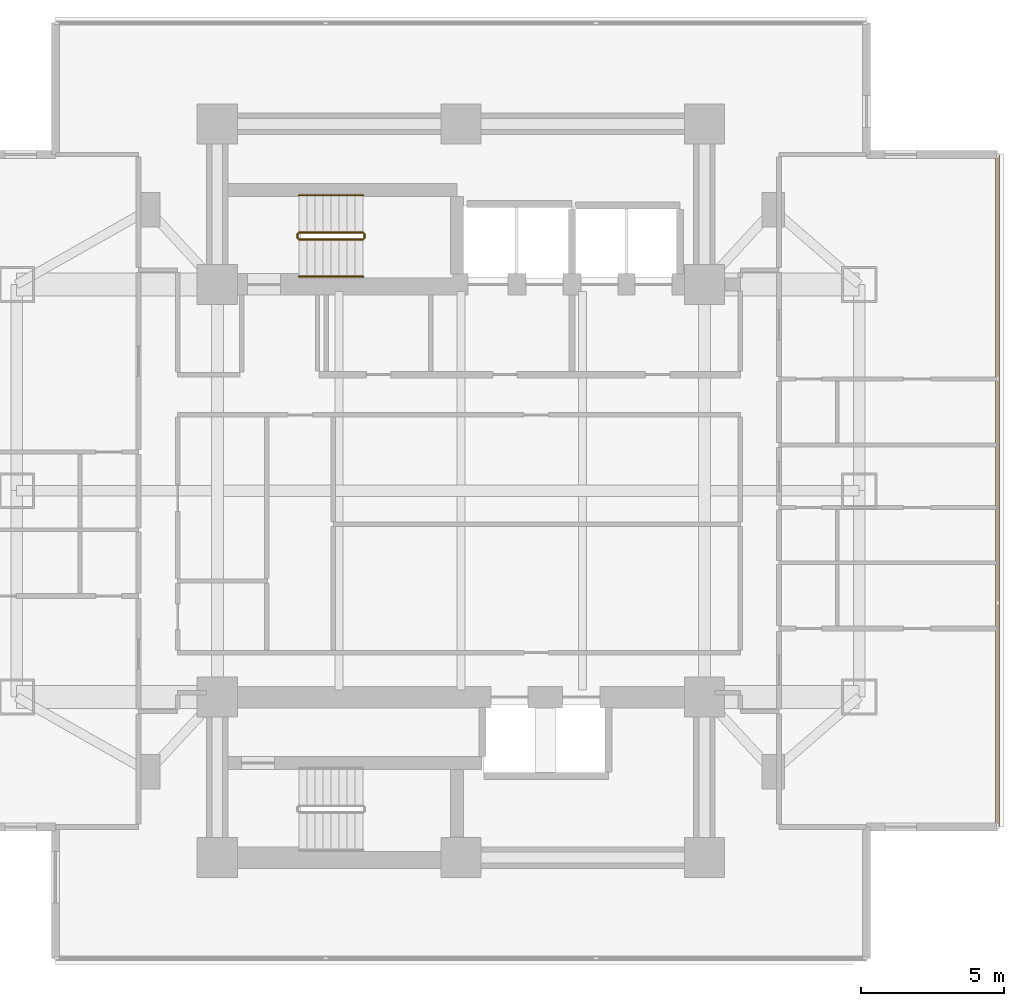
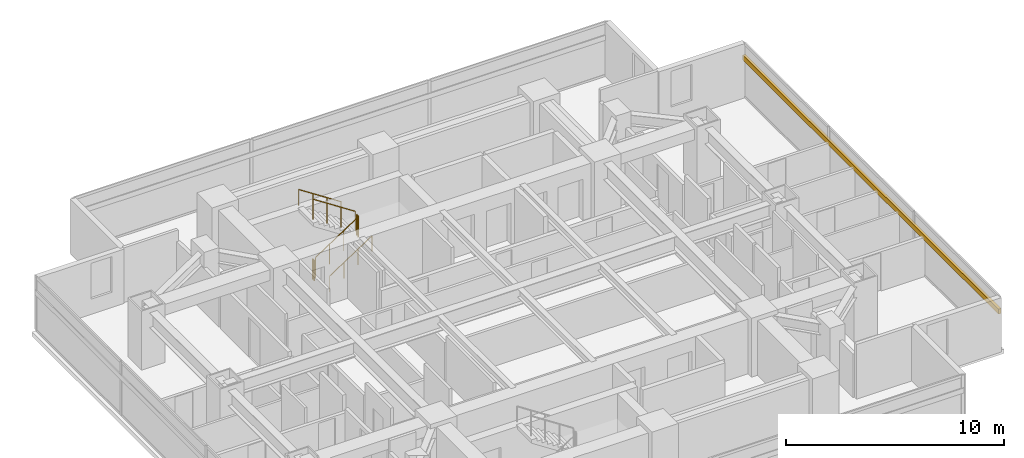
# One storey, part 24 of 25: 6 railings, 1 shading device.
"""IFC4 building model written with IfcOpenShell, lengths in metres."""

from ifc_helpers import new_model, si_unit, direction, frame, origin, origin_2d, place, context, subcontext, project, spatial, rectangle, circle, extrude, material, material_profile, profile_set, type_object, element, save


model = new_model("IFC4")

# Units and contexts
model_context = context("Model", 3, precision=1e-05, world=origin(), true_north=direction((0.0, 1.0)))
body_context = subcontext(model_context, "Body", "Model", "MODEL_VIEW")
ifc_project = project(units=[si_unit("LENGTHUNIT", "METRE"), si_unit("AREAUNIT", "SQUARE_METRE"), si_unit("VOLUMEUNIT", "CUBIC_METRE"), si_unit("PLANEANGLEUNIT", "RADIAN"), si_unit("MASSUNIT", "GRAM", prefix="KILO")], contexts=[model_context])

# Site, building, storey
site_placement = place(None, origin())
site = spatial("IfcSite", under=ifc_project, at=site_placement, CompositionType="ELEMENT")
building_placement = place(site_placement, origin())
building = spatial("IfcBuilding", under=site, at=building_placement, Name="Mirazonda Arch Towers", CompositionType="ELEMENT")
storey_placement = place(building_placement, frame((0.0, 0.0, 35.60009765625)))
storey = spatial("IfcBuildingStorey", under=building, at=storey_placement, Name="L09", CompositionType="ELEMENT", Elevation=35.60009765625)

# Shading device
ifc_material_1 = material(Name="Kiln-Fired Architectural Terracotta", Category="masonry")
ifc_material_profile = material_profile(ifc_material_1, rectangle(XDim=0.139892578125, YDim=0.280029296875, at=origin_2d()), Name="TERRA-BAG-140x280")
ifc_profile_set = profile_set([ifc_material_profile], Name="Kiln-Fired Architectural Terracotta")
shading_device_type = type_object("IfcShadingDeviceType", Name="BAGUETTE-3", PredefinedType="USERDEFINED", material=ifc_profile_set)
shading_device_placement = place(storey_placement, frame((95.23193359375, 16.266845703125, 2.188720703125), z_axis=(0.0, 1.0, 0.0), x_axis=(-1.0, 0.0, 0.0)))
element("IfcShadingDevice", 1, at=shading_device_placement, inside=storey, type_object=shading_device_type, Name="L09 Glazed Terracotta Sun-Screen Baguette CW-L09-T2-E", ObjectType="BAGUETTE", PredefinedType="USERDEFINED", context=body_context, shape_type="SweptSolid", body=[
    extrude(rectangle(XDim=0.139892578125, YDim=0.280029296875, at=origin_2d()), origin(), (0.0, 0.0, 1.0), 23.46630859375),
])

# Railings
ifc_material_2 = material(Name="Architectural Brushed Steel S355", Category="steel")
railing_type_1 = type_object("IfcRailingType", Name="GUARD-STAIR-1120", PredefinedType="GUARDRAIL", material=ifc_material_2)
railing_1_placement = place(storey_placement, frame((70.85009765625, 36.77001953125, 0.183349609375)))
element("IfcRailing", 2, at=railing_1_placement, inside=storey, type_object=railing_type_1, Name="L09 ST-T2N stair guard 1", PredefinedType="GUARDRAIL", context=body_context, shape_type="SweptSolid", body=[
    extrude(circle(Radius=0.02392578125, at=origin_2d()), frame((0.0, 0.0, 1.1259765625), z_axis=(0.836636935527, 0.0, 0.547757827979), x_axis=(0.0, 1.0, 0.0)), (0.0, 0.0, 1.0), 2.677490234375),
    extrude(circle(Radius=0.02099609375, at=origin_2d()), origin(), (0.0, 0.0, 1.0), 1.101806640625),
    extrude(circle(Radius=0.02099609375, at=origin_2d()), frame((0.74658203125, 0.0, 0.48876953125)), (0.0, 0.0, 1.0), 1.101806640625),
    extrude(circle(Radius=0.02099609375, at=origin_2d()), frame((1.493408203125, 0.0, 0.977783203125)), (0.0, 0.0, 1.0), 1.101806640625),
    extrude(circle(Radius=0.02099609375, at=origin_2d()), frame((2.239990234375, 0.0, 1.466552734375)), (0.0, 0.0, 1.0), 1.101806640625),
])
railing_2_placement = place(storey_placement, frame((73.139892578125, 36.820068359375, 1.64990234375)))
element("IfcRailing", 3, at=railing_2_placement, inside=storey, type_object=railing_type_1, Name="L09 ST-T2N stair guard 2", PredefinedType="GUARDRAIL", context=body_context, shape_type="SweptSolid", body=[
    extrude(circle(Radius=0.02392578125, at=origin_2d()), frame((0.0, 0.0, 1.1259765625), z_axis=(0.0, 1.0, 0.0), x_axis=(-1.0, 0.0, 0.0)), (0.0, 0.0, 1.0), 0.139892578125),
    extrude(circle(Radius=0.02099609375, at=origin_2d()), origin(), (0.0, 0.0, 1.0), 1.101806640625),
    extrude(circle(Radius=0.02099609375, at=origin_2d()), frame((0.0, 0.139892578125, 0.0)), (0.0, 0.0, 1.0), 1.101806640625),
])
railing_3_placement = place(storey_placement, frame((73.090087890625, 37.010009765625, 1.833251953125)))
element("IfcRailing", 4, at=railing_3_placement, inside=storey, type_object=railing_type_1, Name="L09 ST-T2N stair guard 3", PredefinedType="GUARDRAIL", context=body_context, shape_type="SweptSolid", body=[
    extrude(circle(Radius=0.02392578125, at=origin_2d()), frame((0.0, 0.0, 1.1259765625), z_axis=(-0.836636935527, 0.0, 0.547757827979), x_axis=(0.0, -1.0, 0.0)), (0.0, 0.0, 1.0), 2.677490234375),
    extrude(circle(Radius=0.02099609375, at=origin_2d()), origin(), (0.0, 0.0, 1.0), 1.101806640625),
    extrude(circle(Radius=0.02099609375, at=origin_2d()), frame((-0.74658203125, 0.0, 0.48876953125)), (0.0, 0.0, 1.0), 1.101806640625),
    extrude(circle(Radius=0.02099609375, at=origin_2d()), frame((-1.493408203125, 0.0, 0.977783203125)), (0.0, 0.0, 1.0), 1.101806640625),
    extrude(circle(Radius=0.02099609375, at=origin_2d()), frame((-2.239990234375, 0.0, 1.466552734375)), (0.0, 0.0, 1.0), 1.101806640625),
])
railing_4_placement = place(storey_placement, frame((70.800048828125, 36.820068359375, 0.0)))
element("IfcRailing", 5, at=railing_4_placement, inside=storey, type_object=railing_type_1, Name="L09 ST-T2N stair guard 4", PredefinedType="GUARDRAIL", context=body_context, shape_type="SweptSolid", body=[
    extrude(circle(Radius=0.02392578125, at=origin_2d()), frame((0.0, 0.0, 1.1259765625), z_axis=(0.0, 1.0, 0.0), x_axis=(-1.0, 0.0, 0.0)), (0.0, 0.0, 1.0), 0.139892578125),
    extrude(circle(Radius=0.02099609375, at=origin_2d()), origin(), (0.0, 0.0, 1.0), 1.101806640625),
    extrude(circle(Radius=0.02099609375, at=origin_2d()), frame((0.0, 0.139892578125, 0.0)), (0.0, 0.0, 1.0), 1.101806640625),
])
railing_type_2 = type_object("IfcRailingType", Name="HANDRAIL-915", PredefinedType="HANDRAIL", material=ifc_material_2)
railing_5_placement = place(storey_placement, frame((70.85009765625, 35.469970703125, 0.183349609375)))
element("IfcRailing", 6, at=railing_5_placement, inside=storey, type_object=railing_type_2, Name="L09 ST-T2N stair handrail 1", PredefinedType="HANDRAIL", context=body_context, shape_type="SweptSolid", body=[
    extrude(circle(Radius=0.02392578125, at=origin_2d()), frame((0.0, 0.0, 0.8759765625), z_axis=(0.836636935527, 0.0, 0.547757827979), x_axis=(0.0, 1.0, 0.0)), (0.0, 0.0, 1.0), 2.677490234375),
    extrude(circle(Radius=0.02099609375, at=origin_2d()), origin(), (0.0, 0.0, 1.0), 0.851806640625),
    extrude(circle(Radius=0.02099609375, at=origin_2d()), frame((0.74658203125, 0.0, 0.48876953125)), (0.0, 0.0, 1.0), 0.851806640625),
    extrude(circle(Radius=0.02099609375, at=origin_2d()), frame((1.493408203125, 0.0, 0.977783203125)), (0.0, 0.0, 1.0), 0.851806640625),
    extrude(circle(Radius=0.02099609375, at=origin_2d()), frame((2.239990234375, 0.0, 1.466552734375)), (0.0, 0.0, 1.0), 0.851806640625),
])
railing_6_placement = place(storey_placement, frame((73.090087890625, 38.31005859375, 1.833251953125)))
element("IfcRailing", 7, at=railing_6_placement, inside=storey, type_object=railing_type_2, Name="L09 ST-T2N stair handrail 2", PredefinedType="HANDRAIL", context=body_context, shape_type="SweptSolid", body=[
    extrude(circle(Radius=0.02392578125, at=origin_2d()), frame((0.0, 0.0, 0.8759765625), z_axis=(-0.836636935527, 0.0, 0.547757827979), x_axis=(0.0, -1.0, 0.0)), (0.0, 0.0, 1.0), 2.677490234375),
    extrude(circle(Radius=0.02099609375, at=origin_2d()), origin(), (0.0, 0.0, 1.0), 0.851806640625),
    extrude(circle(Radius=0.02099609375, at=origin_2d()), frame((-0.74658203125, 0.0, 0.48876953125)), (0.0, 0.0, 1.0), 0.851806640625),
    extrude(circle(Radius=0.02099609375, at=origin_2d()), frame((-1.493408203125, 0.0, 0.977783203125)), (0.0, 0.0, 1.0), 0.851806640625),
    extrude(circle(Radius=0.02099609375, at=origin_2d()), frame((-2.239990234375, 0.0, 1.466552734375)), (0.0, 0.0, 1.0), 0.851806640625),
])

save(model, "model.ifc")
